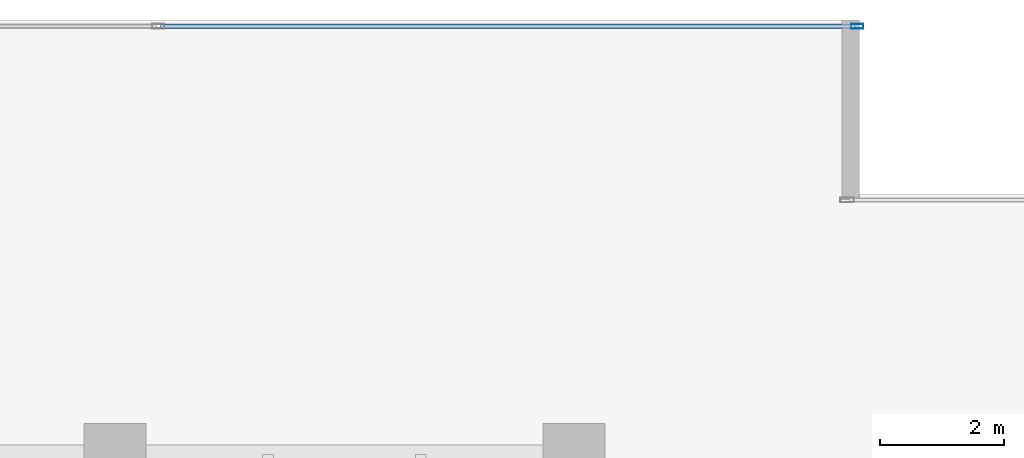
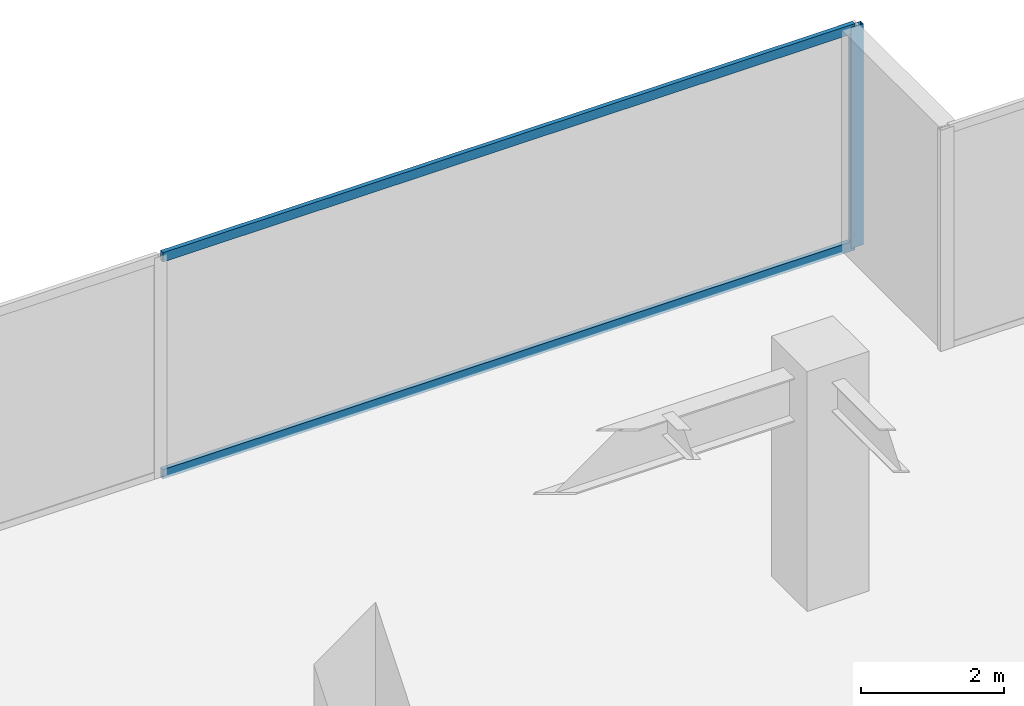
# One storey, part 27 of 35: 3 members, 1 element without a shape of its own.
"""IFC4 building model written with IfcOpenShell, lengths in metres."""

from ifc_helpers import new_model, si_unit, direction, frame, origin, origin_2d, place, context, subcontext, project, spatial, hollow_rectangle, extrude, source, transform, mapped, material, layer, layer_set, material_profile, profile_set, type_object, type_shapes, element, aggregate, save


model = new_model("IFC4")

# Units and contexts
model_context = context("Model", 3, precision=1e-05, world=origin(), true_north=direction((0.0, 1.0)))
body_context = subcontext(model_context, "Body", "Model", "MODEL_VIEW")
ifc_project = project(units=[si_unit("LENGTHUNIT", "METRE"), si_unit("AREAUNIT", "SQUARE_METRE"), si_unit("VOLUMEUNIT", "CUBIC_METRE"), si_unit("PLANEANGLEUNIT", "RADIAN"), si_unit("MASSUNIT", "GRAM", prefix="KILO")], contexts=[model_context])

# Site, building, storey
site_placement = place(None, origin())
site = spatial("IfcSite", under=ifc_project, at=site_placement, CompositionType="ELEMENT")
building_placement = place(site_placement, origin())
building = spatial("IfcBuilding", under=site, at=building_placement, Name="Haelvirn Gate Laboratories", CompositionType="ELEMENT")
storey_placement = place(building_placement, frame((0.0, 0.0, 82.60009765625)))
storey = spatial("IfcBuildingStorey", under=building, at=storey_placement, Name="L20", CompositionType="ELEMENT", Elevation=82.60009765625)

# Curtain wall, members
ifc_material_1 = material(Name="Anodised bronze unitised aluminium & triple low-E glass", Category="aluminium")
ifc_layer = layer(ifc_material_1, 0.18408203125, Name="CW-SYS-2")
ifc_layer_set = layer_set([ifc_layer], Name="Anodised bronze unitised aluminium & triple low-E glass")
curtain_wall_type = type_object("IfcCurtainWallType", Name="CW-SYS-2", PredefinedType="NOTDEFINED", material=ifc_layer_set)
curtain_wall_placement = place(storey_placement, origin())
curtain_wall = element("IfcCurtainWall", 1, at=curtain_wall_placement, inside=storey, type_object=curtain_wall_type, Name="L20 Unitised Curtain Wall CW-L20-P0-E10-1", PredefinedType="NOTDEFINED")
ifc_material_2 = material(Name="Extruded aluminium 6063-T6 (anodised bronze)", Category="aluminium")
ifc_material_profile_1 = material_profile(ifc_material_2, hollow_rectangle(XDim=0.070068359375, YDim=0.159912109375, WallThickness=0.0048828125, at=origin_2d()), Name="CWT-160x70x5")
ifc_profile_set_1 = profile_set([ifc_material_profile_1], Name="Extruded aluminium 6063-T6 (anodised bronze)")
member_type_1 = type_object("IfcMemberType", Name="CWT-T160", PredefinedType="USERDEFINED", material=ifc_profile_set_1)
shared_shape_1 = source(origin(), body_context, "Body", "SweptSolid", [
    extrude(hollow_rectangle(XDim=0.070068359375, YDim=0.159912109375, WallThickness=0.0048828125, at=origin_2d()), origin(), (0.0, 0.0, 1.0), 11.1875),
])
type_shapes(member_type_1, [shared_shape_1])
member_1_placement = place(storey_placement, frame((60.737548828125, 48.5, 0.034912109375), z_axis=(1.0, 0.0, 0.0), x_axis=(0.0, 1.0, 0.0)))
member_1 = element("IfcMember", 2, at=member_1_placement, type_object=member_type_1, Name="CW2 transom 2.1", ObjectType="TRANSOM", PredefinedType="USERDEFINED", context=body_context, shape_type="MappedRepresentation", body=[
    mapped(shared_shape_1, transform((0.0, 0.0, 0.0), scale=1.0)),
])
member_2_placement = place(storey_placement, frame((60.737548828125, 48.5, 3.744873046875), z_axis=(1.0, 0.0, 0.0), x_axis=(0.0, 1.0, 0.0)))
member_2 = element("IfcMember", 3, at=member_2_placement, type_object=member_type_1, Name="CW2 transom 2.2", ObjectType="TRANSOM", PredefinedType="USERDEFINED", context=body_context, shape_type="MappedRepresentation", body=[
    mapped(shared_shape_1, transform((0.0, 0.0, 0.0), scale=1.0)),
])
ifc_material_profile_2 = material_profile(ifc_material_2, hollow_rectangle(XDim=0.074951171875, YDim=0.199951171875, WallThickness=0.0048828125, at=origin_2d()), Name="CWM-200x75x5")
ifc_profile_set_2 = profile_set([ifc_material_profile_2], Name="Extruded aluminium 6063-T6 (anodised bronze)")
member_type_2 = type_object("IfcMemberType", Name="CWM-T200", PredefinedType="MULLION", material=ifc_profile_set_2)
shared_shape_2 = source(origin(), body_context, "Body", "SweptSolid", [
    extrude(hollow_rectangle(XDim=0.074951171875, YDim=0.199951171875, WallThickness=0.0048828125, at=origin_2d()), origin(), (0.0, 0.0, 1.0), 3.77978515625),
])
type_shapes(member_type_2, [shared_shape_2])
member_3_placement = place(storey_placement, frame((71.96240234375, 48.5, 0.0), z_axis=(0.0, 0.0, 1.0), x_axis=(0.0, 1.0, 0.0)))
member_3 = element("IfcMember", 4, at=member_3_placement, type_object=member_type_2, Name="CW2 mullion 3", PredefinedType="MULLION", context=body_context, shape_type="MappedRepresentation", body=[
    mapped(shared_shape_2, transform((0.0, 0.0, 0.0), scale=1.0)),
])
aggregate(curtain_wall, [member_3, member_1, member_2])

save(model, "model.ifc")
